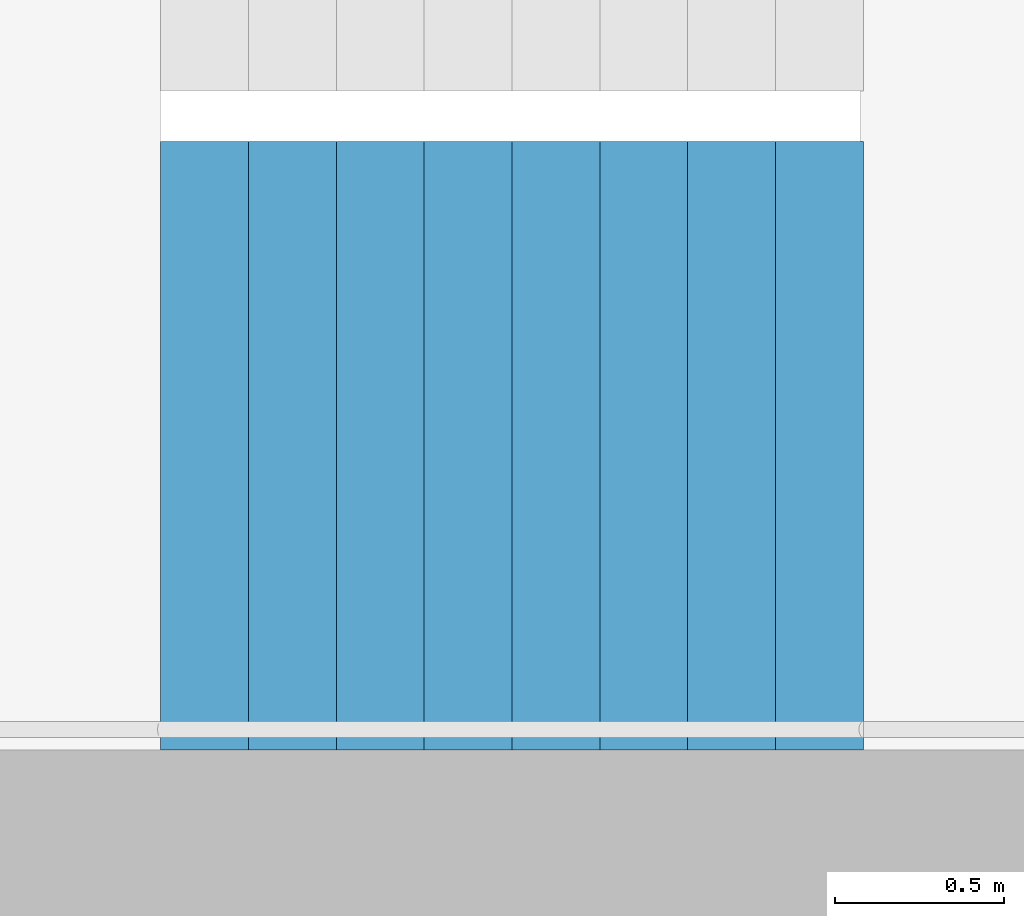
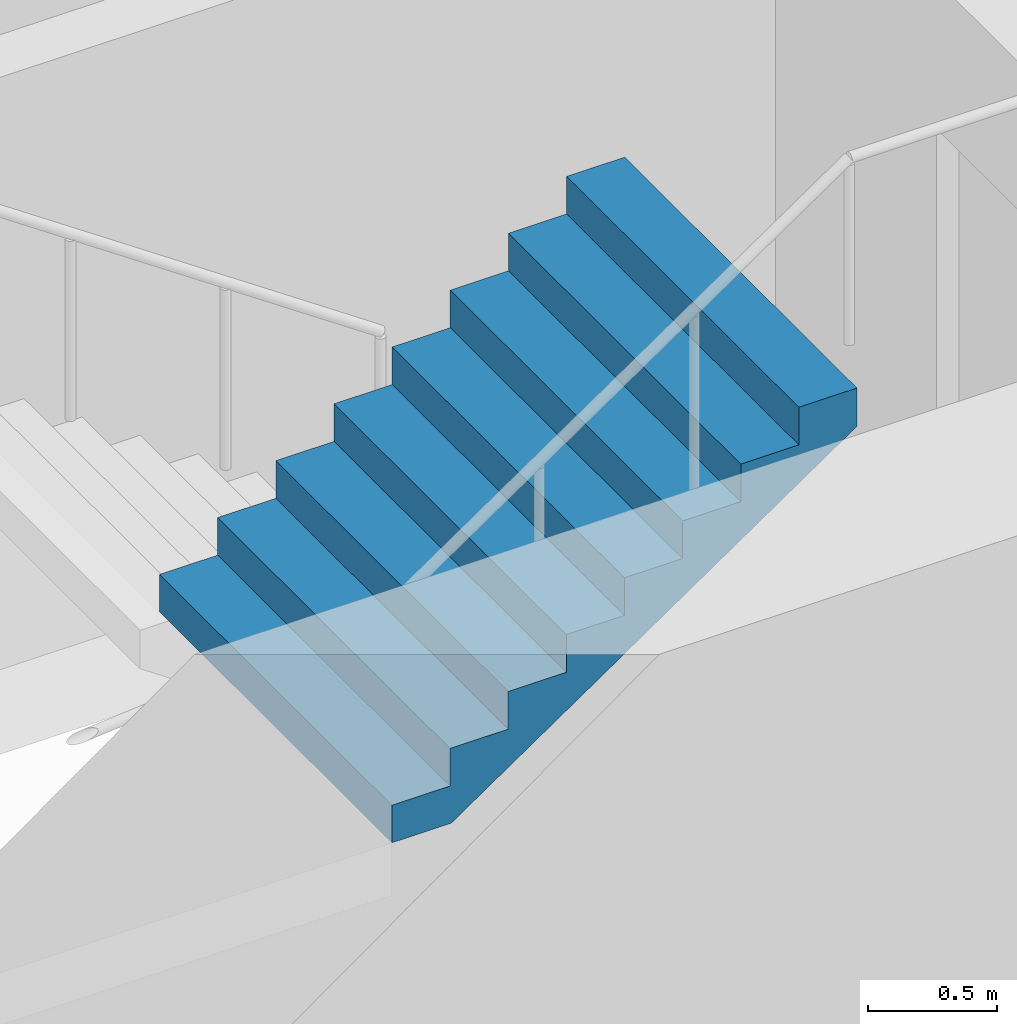
# One storey, part 33 of 42: 1 stair flight, 1 element without a shape of its own.
"""IFC4 building model written with IfcOpenShell, lengths in metres."""

from ifc_helpers import new_model, si_unit, direction, frame, origin, place, context, subcontext, project, spatial, triangles, material, type_object, element, aggregate, save


model = new_model("IFC4")

# Units and contexts
model_context = context("Model", 3, precision=1e-05, world=origin(), true_north=direction((0.0, 1.0)))
body_context = subcontext(model_context, "Body", "Model", "MODEL_VIEW")
ifc_project = project(units=[si_unit("LENGTHUNIT", "METRE"), si_unit("AREAUNIT", "SQUARE_METRE"), si_unit("VOLUMEUNIT", "CUBIC_METRE"), si_unit("PLANEANGLEUNIT", "RADIAN"), si_unit("MASSUNIT", "GRAM", prefix="KILO")], contexts=[model_context])

# Site, building, storey
site_placement = place(None, origin())
site = spatial("IfcSite", under=ifc_project, at=site_placement, CompositionType="ELEMENT")
building_placement = place(site_placement, origin())
building = spatial("IfcBuilding", under=site, at=building_placement, Name="Hakoniwa Tower and Hamabe Station Hall", CompositionType="ELEMENT")
storey_placement = place(building_placement, frame((0.0, 0.0, 19.800048828125)))
storey = spatial("IfcBuildingStorey", under=building, at=storey_placement, Name="L04", CompositionType="ELEMENT", Elevation=19.800048828125)

# Stair, stair flight
ifc_material_1 = material(Name="Concrete C40", Category="concrete")
stair_type = type_object("IfcStairType", Name="ESCAPE STAIR 1800", PredefinedType="HALF_TURN_STAIR", material=ifc_material_1)
stair_placement = place(storey_placement, origin())
stair = element("IfcStair", 1, at=stair_placement, inside=storey, type_object=stair_type, Name="Escape stair ST-2 L04", PredefinedType="HALF_TURN_STAIR")
ifc_material_2 = material(Name="Concrete C40", Category="concrete")
stair_flight_type = type_object("IfcStairFlightType", Name="STAIR FLIGHT 1800", PredefinedType="STRAIGHT", material=ifc_material_2)
stair_flight_placement = place(storey_placement, frame((-25.47998046875, -6.60009765625, 1.599853515625), z_axis=(0.0, 0.0, 1.0), x_axis=(1.0, 0.0, 0.0)))
stair_flight = element("IfcStairFlight", 2, at=stair_flight_placement, type_object=stair_flight_type, Name="ST-2 flight 2", NumberOfRisers=9, NumberOfTreads=8, PredefinedType="STRAIGHT", RiserHeight=0.177777778, TreadLength=0.26, context=body_context, shape_type="Tessellation", body=[
    triangles([(0.0, 0.89990234375, 0.0), (0.260009765625, 0.89990234375, 0.0), (0.265625, 0.89990234375, 0.0), (0.52001953125, 0.89990234375, 0.174072265625), (0.780029296875, 0.89990234375, 0.351806640625), (1.0400390625, 0.89990234375, 0.529541015625), (1.300048828125, 0.89990234375, 0.707275390625), (1.56005859375, 0.89990234375, 0.885009765625), (1.820068359375, 0.89990234375, 1.062744140625), (2.080078125, 0.89990234375, 1.24072265625), (2.080078125, 0.89990234375, 1.422119140625), (1.820068359375, 0.89990234375, 1.422119140625), (1.820068359375, 0.89990234375, 1.244384765625), (1.56005859375, 0.89990234375, 1.244384765625), (1.56005859375, 0.89990234375, 1.066650390625), (1.300048828125, 0.89990234375, 1.066650390625), (1.300048828125, 0.89990234375, 0.888916015625), (1.0400390625, 0.89990234375, 0.888916015625), (1.0400390625, 0.89990234375, 0.711181640625), (0.780029296875, 0.89990234375, 0.711181640625), (0.780029296875, 0.89990234375, 0.533447265625), (0.52001953125, 0.89990234375, 0.533447265625), (0.52001953125, 0.89990234375, 0.35546875), (0.265625, 0.89990234375, 0.35546875), (0.260009765625, 0.89990234375, 0.35546875), (0.260009765625, 0.89990234375, 0.177734375), (0.0, 0.89990234375, 0.177734375), (0.0, 0.06005859375, 0.0), (0.260009765625, 0.06005859375, 0.0), (0.265625, 0.06005859375, 0.0), (0.52001953125, 0.06005859375, 0.174072265625), (0.780029296875, 0.06005859375, 0.351806640625), (1.0400390625, 0.06005859375, 0.529541015625), (1.300048828125, 0.06005859375, 0.707275390625), (1.56005859375, 0.06005859375, 0.885009765625), (1.820068359375, 0.06005859375, 1.062744140625), (2.080078125, 0.06005859375, 1.24072265625), (2.080078125, 0.06005859375, 1.422119140625), (1.820068359375, 0.06005859375, 1.422119140625), (1.820068359375, 0.06005859375, 1.244384765625), (1.56005859375, 0.06005859375, 1.244384765625), (1.56005859375, 0.06005859375, 1.066650390625), (1.300048828125, 0.06005859375, 1.066650390625), (1.300048828125, 0.06005859375, 0.888916015625), (1.0400390625, 0.06005859375, 0.888916015625), (1.0400390625, 0.06005859375, 0.711181640625), (0.780029296875, 0.06005859375, 0.711181640625), (0.780029296875, 0.06005859375, 0.533447265625), (0.52001953125, 0.06005859375, 0.533447265625), (0.52001953125, 0.06005859375, 0.35546875), (0.265625, 0.06005859375, 0.35546875), (0.260009765625, 0.06005859375, 0.35546875), (0.260009765625, 0.06005859375, 0.177734375), (0.0, 0.06005859375, 0.177734375), (0.0, 0.04296875, 0.0), (0.260009765625, 0.04296875, 0.0), (0.265625, 0.04296875, 0.0), (0.52001953125, 0.04296875, 0.174072265625), (0.780029296875, 0.04296875, 0.351806640625), (1.0400390625, 0.04296875, 0.529541015625), (1.300048828125, 0.04296875, 0.707275390625), (1.56005859375, 0.04296875, 0.885009765625), (1.820068359375, 0.04296875, 1.062744140625), (2.080078125, 0.04296875, 1.24072265625), (2.080078125, 0.04296875, 1.422119140625), (1.820068359375, 0.04296875, 1.422119140625), (1.820068359375, 0.04296875, 1.244384765625), (1.56005859375, 0.04296875, 1.244384765625), (1.56005859375, 0.04296875, 1.066650390625), (1.300048828125, 0.04296875, 1.066650390625), (1.300048828125, 0.04296875, 0.888916015625), (1.0400390625, 0.04296875, 0.888916015625), (1.0400390625, 0.04296875, 0.711181640625), (0.780029296875, 0.04296875, 0.711181640625), (0.780029296875, 0.04296875, 0.533447265625), (0.52001953125, 0.04296875, 0.533447265625), (0.52001953125, 0.04296875, 0.35546875), (0.265625, 0.04296875, 0.35546875), (0.260009765625, 0.04296875, 0.35546875), (0.260009765625, 0.04296875, 0.177734375), (0.0, 0.04296875, 0.177734375), (0.0, 0.025634765625, 0.0), (0.260009765625, 0.025634765625, 0.0), (0.265625, 0.025634765625, 0.0), (0.52001953125, 0.025634765625, 0.174072265625), (0.780029296875, 0.025634765625, 0.351806640625), (1.0400390625, 0.025634765625, 0.529541015625), (1.300048828125, 0.025634765625, 0.707275390625), (1.56005859375, 0.025634765625, 0.885009765625), (1.820068359375, 0.025634765625, 1.062744140625), (2.080078125, 0.025634765625, 1.24072265625), (2.080078125, 0.025634765625, 1.422119140625), (1.820068359375, 0.025634765625, 1.422119140625), (1.820068359375, 0.025634765625, 1.244384765625), (1.56005859375, 0.025634765625, 1.244384765625), (1.56005859375, 0.025634765625, 1.066650390625), (1.300048828125, 0.025634765625, 1.066650390625), (1.300048828125, 0.025634765625, 0.888916015625), (1.0400390625, 0.025634765625, 0.888916015625), (1.0400390625, 0.025634765625, 0.711181640625), (0.780029296875, 0.025634765625, 0.711181640625), (0.780029296875, 0.025634765625, 0.533447265625), (0.52001953125, 0.025634765625, 0.533447265625), (0.52001953125, 0.025634765625, 0.35546875), (0.265625, 0.025634765625, 0.35546875), (0.260009765625, 0.025634765625, 0.35546875), (0.260009765625, 0.025634765625, 0.177734375), (0.0, 0.025634765625, 0.177734375), (0.0, 0.008544921875, 0.0), (0.260009765625, 0.008544921875, 0.0), (0.265625, 0.008544921875, 0.0), (0.52001953125, 0.008544921875, 0.174072265625), (0.780029296875, 0.008544921875, 0.351806640625), (1.0400390625, 0.008544921875, 0.529541015625), (1.300048828125, 0.008544921875, 0.707275390625), (1.56005859375, 0.008544921875, 0.885009765625), (1.820068359375, 0.008544921875, 1.062744140625), (2.080078125, 0.008544921875, 1.24072265625), (2.080078125, 0.008544921875, 1.422119140625), (1.820068359375, 0.008544921875, 1.422119140625), (1.820068359375, 0.008544921875, 1.244384765625), (1.56005859375, 0.008544921875, 1.244384765625), (1.56005859375, 0.008544921875, 1.066650390625), (1.300048828125, 0.008544921875, 1.066650390625), (1.300048828125, 0.008544921875, 0.888916015625), (1.0400390625, 0.008544921875, 0.888916015625), (1.0400390625, 0.008544921875, 0.711181640625), (0.780029296875, 0.008544921875, 0.711181640625), (0.780029296875, 0.008544921875, 0.533447265625), (0.52001953125, 0.008544921875, 0.533447265625), (0.52001953125, 0.008544921875, 0.35546875), (0.265625, 0.008544921875, 0.35546875), (0.260009765625, 0.008544921875, 0.35546875), (0.260009765625, 0.008544921875, 0.177734375), (0.0, 0.008544921875, 0.177734375), (0.0, -0.008544921875, 0.0), (0.260009765625, -0.008544921875, 0.0), (0.265625, -0.008544921875, 0.0), (0.52001953125, -0.008544921875, 0.174072265625), (0.780029296875, -0.008544921875, 0.351806640625), (1.0400390625, -0.008544921875, 0.529541015625), (1.300048828125, -0.008544921875, 0.707275390625), (1.56005859375, -0.008544921875, 0.885009765625), (1.820068359375, -0.008544921875, 1.062744140625), (2.080078125, -0.008544921875, 1.24072265625), (2.080078125, -0.008544921875, 1.422119140625), (1.820068359375, -0.008544921875, 1.422119140625), (1.820068359375, -0.008544921875, 1.244384765625), (1.56005859375, -0.008544921875, 1.244384765625), (1.56005859375, -0.008544921875, 1.066650390625), (1.300048828125, -0.008544921875, 1.066650390625), (1.300048828125, -0.008544921875, 0.888916015625), (1.0400390625, -0.008544921875, 0.888916015625), (1.0400390625, -0.008544921875, 0.711181640625), (0.780029296875, -0.008544921875, 0.711181640625), (0.780029296875, -0.008544921875, 0.533447265625), (0.52001953125, -0.008544921875, 0.533447265625), (0.52001953125, -0.008544921875, 0.35546875), (0.265625, -0.008544921875, 0.35546875), (0.260009765625, -0.008544921875, 0.35546875), (0.260009765625, -0.008544921875, 0.177734375), (0.0, -0.008544921875, 0.177734375), (0.0, -0.025634765625, 0.0), (0.260009765625, -0.025634765625, 0.0), (0.265625, -0.025634765625, 0.0), (0.52001953125, -0.025634765625, 0.174072265625), (0.780029296875, -0.025634765625, 0.351806640625), (1.0400390625, -0.025634765625, 0.529541015625), (1.300048828125, -0.025634765625, 0.707275390625), (1.56005859375, -0.025634765625, 0.885009765625), (1.820068359375, -0.025634765625, 1.062744140625), (2.080078125, -0.025634765625, 1.24072265625), (2.080078125, -0.025634765625, 1.422119140625), (1.820068359375, -0.025634765625, 1.422119140625), (1.820068359375, -0.025634765625, 1.244384765625), (1.56005859375, -0.025634765625, 1.244384765625), (1.56005859375, -0.025634765625, 1.066650390625), (1.300048828125, -0.025634765625, 1.066650390625), (1.300048828125, -0.025634765625, 0.888916015625), (1.0400390625, -0.025634765625, 0.888916015625), (1.0400390625, -0.025634765625, 0.711181640625), (0.780029296875, -0.025634765625, 0.711181640625), (0.780029296875, -0.025634765625, 0.533447265625), (0.52001953125, -0.025634765625, 0.533447265625), (0.52001953125, -0.025634765625, 0.35546875), (0.265625, -0.025634765625, 0.35546875), (0.260009765625, -0.025634765625, 0.35546875), (0.260009765625, -0.025634765625, 0.177734375), (0.0, -0.025634765625, 0.177734375), (0.0, -0.04296875, 0.0), (0.260009765625, -0.04296875, 0.0), (0.265625, -0.04296875, 0.0), (0.52001953125, -0.04296875, 0.174072265625), (0.780029296875, -0.04296875, 0.351806640625), (1.0400390625, -0.04296875, 0.529541015625), (1.300048828125, -0.04296875, 0.707275390625), (1.56005859375, -0.04296875, 0.885009765625), (1.820068359375, -0.04296875, 1.062744140625), (2.080078125, -0.04296875, 1.24072265625), (2.080078125, -0.04296875, 1.422119140625), (1.820068359375, -0.04296875, 1.422119140625), (1.820068359375, -0.04296875, 1.244384765625), (1.56005859375, -0.04296875, 1.244384765625), (1.56005859375, -0.04296875, 1.066650390625), (1.300048828125, -0.04296875, 1.066650390625), (1.300048828125, -0.04296875, 0.888916015625), (1.0400390625, -0.04296875, 0.888916015625), (1.0400390625, -0.04296875, 0.711181640625), (0.780029296875, -0.04296875, 0.711181640625), (0.780029296875, -0.04296875, 0.533447265625), (0.52001953125, -0.04296875, 0.533447265625), (0.52001953125, -0.04296875, 0.35546875), (0.265625, -0.04296875, 0.35546875), (0.260009765625, -0.04296875, 0.35546875), (0.260009765625, -0.04296875, 0.177734375), (0.0, -0.04296875, 0.177734375), (0.0, -0.06005859375, 0.0), (0.260009765625, -0.06005859375, 0.0), (0.265625, -0.06005859375, 0.0), (0.52001953125, -0.06005859375, 0.174072265625), (0.780029296875, -0.06005859375, 0.351806640625), (1.0400390625, -0.06005859375, 0.529541015625), (1.300048828125, -0.06005859375, 0.707275390625), (1.56005859375, -0.06005859375, 0.885009765625), (1.820068359375, -0.06005859375, 1.062744140625), (2.080078125, -0.06005859375, 1.24072265625), (2.080078125, -0.06005859375, 1.422119140625), (1.820068359375, -0.06005859375, 1.422119140625), (1.820068359375, -0.06005859375, 1.244384765625), (1.56005859375, -0.06005859375, 1.244384765625), (1.56005859375, -0.06005859375, 1.066650390625), (1.300048828125, -0.06005859375, 1.066650390625), (1.300048828125, -0.06005859375, 0.888916015625), (1.0400390625, -0.06005859375, 0.888916015625), (1.0400390625, -0.06005859375, 0.711181640625), (0.780029296875, -0.06005859375, 0.711181640625), (0.780029296875, -0.06005859375, 0.533447265625), (0.52001953125, -0.06005859375, 0.533447265625), (0.52001953125, -0.06005859375, 0.35546875), (0.265625, -0.06005859375, 0.35546875), (0.260009765625, -0.06005859375, 0.35546875), (0.260009765625, -0.06005859375, 0.177734375), (0.0, -0.06005859375, 0.177734375), (0.0, -0.89990234375, 0.0), (0.260009765625, -0.89990234375, 0.0), (0.265625, -0.89990234375, 0.0), (0.52001953125, -0.89990234375, 0.174072265625), (0.780029296875, -0.89990234375, 0.351806640625), (1.0400390625, -0.89990234375, 0.529541015625), (1.300048828125, -0.89990234375, 0.707275390625), (1.56005859375, -0.89990234375, 0.885009765625), (1.820068359375, -0.89990234375, 1.062744140625), (2.080078125, -0.89990234375, 1.24072265625), (2.080078125, -0.89990234375, 1.422119140625), (1.820068359375, -0.89990234375, 1.422119140625), (1.820068359375, -0.89990234375, 1.244384765625), (1.56005859375, -0.89990234375, 1.244384765625), (1.56005859375, -0.89990234375, 1.066650390625), (1.300048828125, -0.89990234375, 1.066650390625), (1.300048828125, -0.89990234375, 0.888916015625), (1.0400390625, -0.89990234375, 0.888916015625), (1.0400390625, -0.89990234375, 0.711181640625), (0.780029296875, -0.89990234375, 0.711181640625), (0.780029296875, -0.89990234375, 0.533447265625), (0.52001953125, -0.89990234375, 0.533447265625), (0.52001953125, -0.89990234375, 0.35546875), (0.265625, -0.89990234375, 0.35546875), (0.260009765625, -0.89990234375, 0.35546875), (0.260009765625, -0.89990234375, 0.177734375), (0.0, -0.89990234375, 0.177734375)], [[2, 27, 26], [245, 269, 270], [2, 1, 27], [245, 270, 244], [3, 25, 24], [246, 267, 268], [3, 26, 25], [246, 268, 269], [3, 2, 26], [246, 269, 245], [4, 24, 23], [247, 266, 267], [4, 3, 24], [247, 267, 246], [5, 22, 21], [248, 264, 265], [5, 23, 22], [248, 265, 266], [5, 4, 23], [248, 266, 247], [6, 20, 19], [249, 262, 263], [6, 21, 20], [249, 263, 264], [6, 5, 21], [249, 264, 248], [7, 18, 17], [250, 260, 261], [7, 19, 18], [250, 261, 262], [7, 6, 19], [250, 262, 249], [8, 16, 15], [251, 258, 259], [8, 17, 16], [251, 259, 260], [8, 7, 17], [251, 260, 250], [9, 14, 13], [252, 256, 257], [9, 15, 14], [252, 257, 258], [9, 8, 15], [252, 258, 251], [10, 12, 11], [253, 254, 255], [10, 13, 12], [253, 255, 256], [10, 9, 13], [253, 256, 252], [1, 2, 29], [1, 29, 28], [28, 29, 56], [28, 56, 55], [55, 56, 83], [55, 83, 82], [82, 83, 110], [82, 110, 109], [109, 110, 137], [109, 137, 136], [136, 137, 164], [136, 164, 163], [163, 164, 191], [163, 191, 190], [190, 191, 218], [190, 218, 217], [217, 218, 245], [217, 245, 244], [2, 3, 30], [2, 30, 29], [29, 30, 57], [29, 57, 56], [56, 57, 84], [56, 84, 83], [83, 84, 111], [83, 111, 110], [110, 111, 138], [110, 138, 137], [137, 138, 165], [137, 165, 164], [164, 165, 192], [164, 192, 191], [191, 192, 219], [191, 219, 218], [218, 219, 246], [218, 246, 245], [3, 4, 31], [3, 31, 30], [30, 31, 58], [30, 58, 57], [57, 58, 85], [57, 85, 84], [84, 85, 112], [84, 112, 111], [111, 112, 139], [111, 139, 138], [138, 139, 166], [138, 166, 165], [165, 166, 193], [165, 193, 192], [192, 193, 220], [192, 220, 219], [219, 220, 247], [219, 247, 246], [4, 5, 32], [4, 32, 31], [31, 32, 59], [31, 59, 58], [58, 59, 86], [58, 86, 85], [85, 86, 113], [85, 113, 112], [112, 113, 140], [112, 140, 139], [139, 140, 167], [139, 167, 166], [166, 167, 194], [166, 194, 193], [193, 194, 221], [193, 221, 220], [220, 221, 248], [220, 248, 247], [5, 6, 33], [5, 33, 32], [32, 33, 60], [32, 60, 59], [59, 60, 87], [59, 87, 86], [86, 87, 114], [86, 114, 113], [113, 114, 141], [113, 141, 140], [140, 141, 168], [140, 168, 167], [167, 168, 195], [167, 195, 194], [194, 195, 222], [194, 222, 221], [221, 222, 249], [221, 249, 248], [6, 7, 34], [6, 34, 33], [33, 34, 61], [33, 61, 60], [60, 61, 88], [60, 88, 87], [87, 88, 115], [87, 115, 114], [114, 115, 142], [114, 142, 141], [141, 142, 169], [141, 169, 168], [168, 169, 196], [168, 196, 195], [195, 196, 223], [195, 223, 222], [222, 223, 250], [222, 250, 249], [7, 8, 35], [7, 35, 34], [34, 35, 62], [34, 62, 61], [61, 62, 89], [61, 89, 88], [88, 89, 116], [88, 116, 115], [115, 116, 143], [115, 143, 142], [142, 143, 170], [142, 170, 169], [169, 170, 197], [169, 197, 196], [196, 197, 224], [196, 224, 223], [223, 224, 251], [223, 251, 250], [8, 9, 36], [8, 36, 35], [35, 36, 63], [35, 63, 62], [62, 63, 90], [62, 90, 89], [89, 90, 117], [89, 117, 116], [116, 117, 144], [116, 144, 143], [143, 144, 171], [143, 171, 170], [170, 171, 198], [170, 198, 197], [197, 198, 225], [197, 225, 224], [224, 225, 252], [224, 252, 251], [9, 10, 37], [9, 37, 36], [36, 37, 64], [36, 64, 63], [63, 64, 91], [63, 91, 90], [90, 91, 118], [90, 118, 117], [117, 118, 145], [117, 145, 144], [144, 145, 172], [144, 172, 171], [171, 172, 199], [171, 199, 198], [198, 199, 226], [198, 226, 225], [225, 226, 253], [225, 253, 252], [10, 11, 38], [10, 38, 37], [37, 38, 65], [37, 65, 64], [64, 65, 92], [64, 92, 91], [91, 92, 119], [91, 119, 118], [118, 119, 146], [118, 146, 145], [145, 146, 173], [145, 173, 172], [172, 173, 200], [172, 200, 199], [199, 200, 227], [199, 227, 226], [226, 227, 254], [226, 254, 253], [11, 12, 39], [11, 39, 38], [38, 39, 66], [38, 66, 65], [65, 66, 93], [65, 93, 92], [92, 93, 120], [92, 120, 119], [119, 120, 147], [119, 147, 146], [146, 147, 174], [146, 174, 173], [173, 174, 201], [173, 201, 200], [200, 201, 228], [200, 228, 227], [227, 228, 255], [227, 255, 254], [12, 13, 40], [12, 40, 39], [39, 40, 67], [39, 67, 66], [66, 67, 94], [66, 94, 93], [93, 94, 121], [93, 121, 120], [120, 121, 148], [120, 148, 147], [147, 148, 175], [147, 175, 174], [174, 175, 202], [174, 202, 201], [201, 202, 229], [201, 229, 228], [228, 229, 256], [228, 256, 255], [13, 14, 41], [13, 41, 40], [40, 41, 68], [40, 68, 67], [67, 68, 95], [67, 95, 94], [94, 95, 122], [94, 122, 121], [121, 122, 149], [121, 149, 148], [148, 149, 176], [148, 176, 175], [175, 176, 203], [175, 203, 202], [202, 203, 230], [202, 230, 229], [229, 230, 257], [229, 257, 256], [14, 15, 42], [14, 42, 41], [41, 42, 69], [41, 69, 68], [68, 69, 96], [68, 96, 95], [95, 96, 123], [95, 123, 122], [122, 123, 150], [122, 150, 149], [149, 150, 177], [149, 177, 176], [176, 177, 204], [176, 204, 203], [203, 204, 231], [203, 231, 230], [230, 231, 258], [230, 258, 257], [15, 16, 43], [15, 43, 42], [42, 43, 70], [42, 70, 69], [69, 70, 97], [69, 97, 96], [96, 97, 124], [96, 124, 123], [123, 124, 151], [123, 151, 150], [150, 151, 178], [150, 178, 177], [177, 178, 205], [177, 205, 204], [204, 205, 232], [204, 232, 231], [231, 232, 259], [231, 259, 258], [16, 17, 44], [16, 44, 43], [43, 44, 71], [43, 71, 70], [70, 71, 98], [70, 98, 97], [97, 98, 125], [97, 125, 124], [124, 125, 152], [124, 152, 151], [151, 152, 179], [151, 179, 178], [178, 179, 206], [178, 206, 205], [205, 206, 233], [205, 233, 232], [232, 233, 260], [232, 260, 259], [17, 18, 45], [17, 45, 44], [44, 45, 72], [44, 72, 71], [71, 72, 99], [71, 99, 98], [98, 99, 126], [98, 126, 125], [125, 126, 153], [125, 153, 152], [152, 153, 180], [152, 180, 179], [179, 180, 207], [179, 207, 206], [206, 207, 234], [206, 234, 233], [233, 234, 261], [233, 261, 260], [18, 19, 46], [18, 46, 45], [45, 46, 73], [45, 73, 72], [72, 73, 100], [72, 100, 99], [99, 100, 127], [99, 127, 126], [126, 127, 154], [126, 154, 153], [153, 154, 181], [153, 181, 180], [180, 181, 208], [180, 208, 207], [207, 208, 235], [207, 235, 234], [234, 235, 262], [234, 262, 261], [19, 20, 47], [19, 47, 46], [46, 47, 74], [46, 74, 73], [73, 74, 101], [73, 101, 100], [100, 101, 128], [100, 128, 127], [127, 128, 155], [127, 155, 154], [154, 155, 182], [154, 182, 181], [181, 182, 209], [181, 209, 208], [208, 209, 236], [208, 236, 235], [235, 236, 263], [235, 263, 262], [20, 21, 48], [20, 48, 47], [47, 48, 75], [47, 75, 74], [74, 75, 102], [74, 102, 101], [101, 102, 129], [101, 129, 128], [128, 129, 156], [128, 156, 155], [155, 156, 183], [155, 183, 182], [182, 183, 210], [182, 210, 209], [209, 210, 237], [209, 237, 236], [236, 237, 264], [236, 264, 263], [21, 22, 49], [21, 49, 48], [48, 49, 76], [48, 76, 75], [75, 76, 103], [75, 103, 102], [102, 103, 130], [102, 130, 129], [129, 130, 157], [129, 157, 156], [156, 157, 184], [156, 184, 183], [183, 184, 211], [183, 211, 210], [210, 211, 238], [210, 238, 237], [237, 238, 265], [237, 265, 264], [22, 23, 50], [22, 50, 49], [49, 50, 77], [49, 77, 76], [76, 77, 104], [76, 104, 103], [103, 104, 131], [103, 131, 130], [130, 131, 158], [130, 158, 157], [157, 158, 185], [157, 185, 184], [184, 185, 212], [184, 212, 211], [211, 212, 239], [211, 239, 238], [238, 239, 266], [238, 266, 265], [23, 24, 51], [23, 51, 50], [50, 51, 78], [50, 78, 77], [77, 78, 105], [77, 105, 104], [104, 105, 132], [104, 132, 131], [131, 132, 159], [131, 159, 158], [158, 159, 186], [158, 186, 185], [185, 186, 213], [185, 213, 212], [212, 213, 240], [212, 240, 239], [239, 240, 267], [239, 267, 266], [24, 25, 52], [24, 52, 51], [51, 52, 79], [51, 79, 78], [78, 79, 106], [78, 106, 105], [105, 106, 133], [105, 133, 132], [132, 133, 160], [132, 160, 159], [159, 160, 187], [159, 187, 186], [186, 187, 214], [186, 214, 213], [213, 214, 241], [213, 241, 240], [240, 241, 268], [240, 268, 267], [25, 26, 53], [25, 53, 52], [52, 53, 80], [52, 80, 79], [79, 80, 107], [79, 107, 106], [106, 107, 134], [106, 134, 133], [133, 134, 161], [133, 161, 160], [160, 161, 188], [160, 188, 187], [187, 188, 215], [187, 215, 214], [214, 215, 242], [214, 242, 241], [241, 242, 269], [241, 269, 268], [26, 27, 54], [26, 54, 53], [53, 54, 81], [53, 81, 80], [80, 81, 108], [80, 108, 107], [107, 108, 135], [107, 135, 134], [134, 135, 162], [134, 162, 161], [161, 162, 189], [161, 189, 188], [188, 189, 216], [188, 216, 215], [215, 216, 243], [215, 243, 242], [242, 243, 270], [242, 270, 269], [27, 1, 28], [27, 28, 54], [54, 28, 55], [54, 55, 81], [81, 55, 82], [81, 82, 108], [108, 82, 109], [108, 109, 135], [135, 109, 136], [135, 136, 162], [162, 136, 163], [162, 163, 189], [189, 163, 190], [189, 190, 216], [216, 190, 217], [216, 217, 243], [243, 217, 244], [243, 244, 270]], closed=True),
])
aggregate(stair, [stair_flight])

save(model, "model.ifc")
